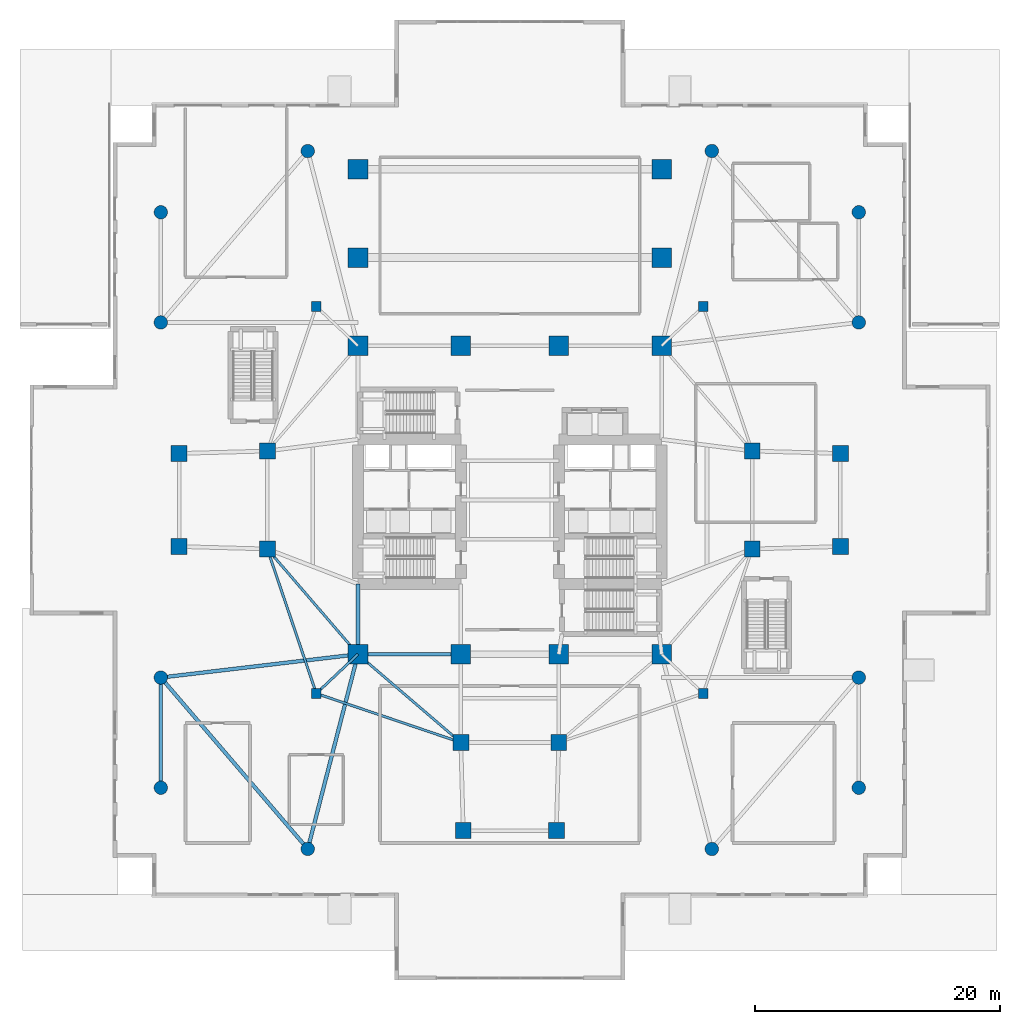
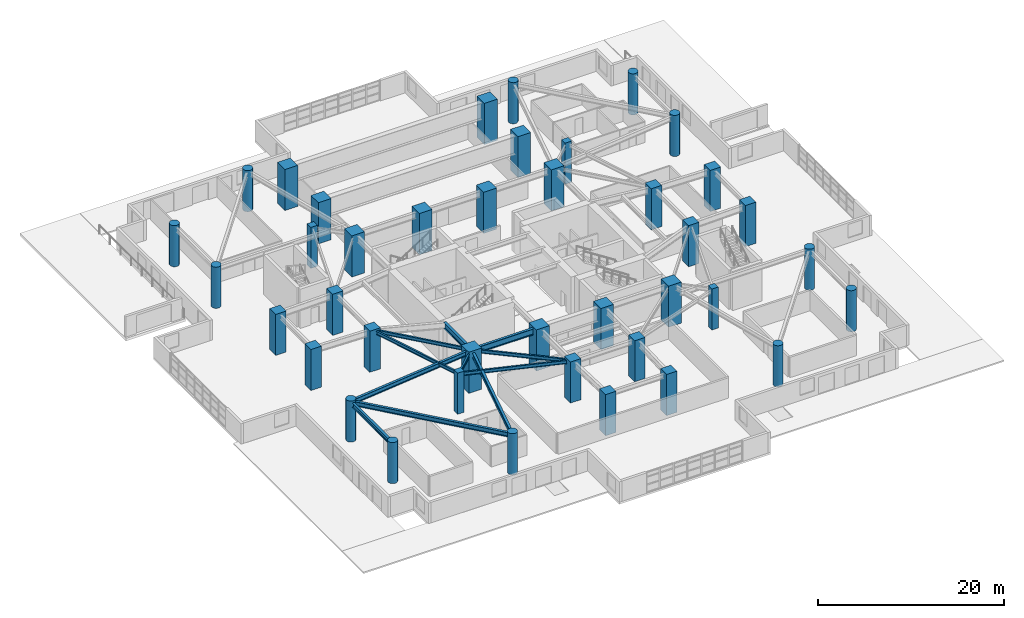
# One storey, part 1 of 24: 40 columns, 11 beams.
"""IFC4 building model written with IfcOpenShell, lengths in metres."""

import ifcopenshell
import ifcopenshell.guid

model = None  # the IFC model being written
_history = None  # IfcOwnerHistory: only IFC2X3 demands one
_inside = {}  # id of a spatial element -> (the spatial element, [elements in it])
_under = {}  # id of a project, library or spatial element -> (it, [spatial elements below it])
_declared = {}  # id of a project -> (the project, [libraries it declares])
_typed = {}  # id of a type object -> (the type object, [elements of that type])
_made_of = {}  # id of a material, layer set ... -> (it, [elements and type objects made of it])


def new_model(schema):
    """Start an empty IFC model of exactly this schema.

    Asked for "IFC4X3", IfcOpenShell would pick the latest addendum, in which some entities
    have other attributes; the version numbers below select the first issue.
    IFC2X3 requires an IfcOwnerHistory on every rooted entity: one is made here for all.
    """
    global model, _history
    if schema == "IFC4X3":
        model = ifcopenshell.file(schema_version=(4, 3, 0, 0))
    else:
        model = ifcopenshell.file(schema=schema)
    _inside.clear()
    _under.clear()
    _declared.clear()
    _typed.clear()
    _made_of.clear()
    _history = None
    if model.schema == "IFC2X3":
        org = make("IfcOrganization", Name="unknown")
        user = make(
            "IfcPersonAndOrganization",
            ThePerson=make("IfcPerson", FamilyName="unknown"),
            TheOrganization=org,
        )
        app = make(
            "IfcApplication",
            ApplicationDeveloper=org,
            Version="unknown",
            ApplicationFullName="unknown",
            ApplicationIdentifier="unknown",
        )
        _history = make(
            "IfcOwnerHistory",
            OwningUser=user,
            OwningApplication=app,
            ChangeAction="ADDED",
            CreationDate=0,
        )
    return model


def make(cls, **values):
    """One entity of the class cls with the attributes given. An attribute that is None is left unset."""
    return model.create_entity(
        cls, **{name: value for name, value in values.items() if value is not None}
    )


def rooted(cls, **values):
    """An entity with a GlobalId (a new one), such as an element, a storey or a relation."""
    return make(cls, GlobalId=ifcopenshell.guid.new(), OwnerHistory=_history, **values)


def si_unit(unit_type, name, prefix=None):
    """IfcSIUnit, for example si_unit("LENGTHUNIT", "METRE", prefix="MILLI")."""
    return make("IfcSIUnit", UnitType=unit_type, Prefix=prefix, Name=name)


def assignment(units):
    """IfcUnitAssignment: the units of a project."""
    return None if units is None else make("IfcUnitAssignment", Units=units)


def point(xyz):
    """IfcCartesianPoint."""
    return None if xyz is None else make("IfcCartesianPoint", Coordinates=xyz)


def direction(xyz):
    """IfcDirection."""
    return None if xyz is None else make("IfcDirection", DirectionRatios=xyz)


def frame(location, z_axis=None, x_axis=None):
    """IfcAxis2Placement3D, a coordinate frame: its origin and axes. An axis left out is left unset."""
    return make(
        "IfcAxis2Placement3D",
        Location=point(location),
        Axis=direction(z_axis),
        RefDirection=direction(x_axis),
    )


def frame_2d(location, x_axis=None):
    """IfcAxis2Placement2D, a coordinate frame in the plane: its origin and x axis."""
    return make(
        "IfcAxis2Placement2D", Location=point(location), RefDirection=direction(x_axis)
    )


def origin():
    """The frame at (0, 0, 0) with its axes left unset."""
    return frame((0.0, 0.0, 0.0))


def origin_2d():
    """The frame at (0, 0) in the plane with its x axis left unset."""
    return frame_2d((0.0, 0.0))


def place(relative_to, where):
    """IfcLocalPlacement: puts the frame where relative to a parent placement (None: the world)."""
    return make(
        "IfcLocalPlacement", PlacementRelTo=relative_to, RelativePlacement=where
    )


def context(
    kind, dimensions, precision=None, world=None, true_north=None, identifier=None
):
    """IfcGeometricRepresentationContext, for example the 3D "Model" context."""
    return make(
        "IfcGeometricRepresentationContext",
        ContextIdentifier=identifier,
        ContextType=kind,
        CoordinateSpaceDimension=dimensions,
        Precision=precision,
        WorldCoordinateSystem=world,
        TrueNorth=true_north,
    )


def subcontext(parent, identifier, kind, view, scale=None):
    """IfcGeometricRepresentationSubContext, for example "Body" below "Model"."""
    return make(
        "IfcGeometricRepresentationSubContext",
        ContextIdentifier=identifier,
        ContextType=kind,
        ParentContext=parent,
        TargetScale=scale,
        TargetView=view,
    )


def project(units=None, contexts=None):
    """IfcProject with its units and contexts."""
    return rooted(
        "IfcProject",
        Name="project",
        RepresentationContexts=contexts,
        UnitsInContext=assignment(units),
    )


def spatial(cls, under=None, at=None, **own):
    """A site, building, storey or space (cls), placed at a placement, below another one or the project."""
    s = rooted(cls, ObjectPlacement=at, **own)
    if under is not None:
        _under.setdefault(under.id(), (under, []))[1].append(s)
    return s


def profile(cls, at=None, kind="AREA", **sizes):
    """A parametric profile (cls). Its sizes go by their IFC names, for example OverallWidth=200.0."""
    return make(cls, ProfileType=kind, Position=at, **sizes)


def rectangle(**sizes):
    """IfcRectangleProfileDef."""
    return profile("IfcRectangleProfileDef", **sizes)


def circle(**sizes):
    """IfcCircleProfileDef."""
    return profile("IfcCircleProfileDef", **sizes)


def i_section(**sizes):
    """IfcIShapeProfileDef."""
    return profile("IfcIShapeProfileDef", **sizes)


def extrude(swept, where, along, depth):
    """IfcExtrudedAreaSolid: the profile swept, set in the frame where, extruded along a direction by depth."""
    return make(
        "IfcExtrudedAreaSolid",
        SweptArea=swept,
        Position=where,
        ExtrudedDirection=direction(along),
        Depth=depth,
    )


def shape(context_of_items, identifier, shape_type, items):
    """IfcShapeRepresentation: the items that make up one representation, for example the "Body"."""
    return make(
        "IfcShapeRepresentation",
        ContextOfItems=context_of_items,
        RepresentationIdentifier=identifier,
        RepresentationType=shape_type,
        Items=items,
    )


def material(Name=None, Category=None):
    """IfcMaterial."""
    return make("IfcMaterial", Name=Name, Category=Category)


def material_profile(
    of_material, cross_section, Name=None, Category=None, Priority=None
):
    """IfcMaterialProfile: a cross section and its material."""
    return make(
        "IfcMaterialProfile",
        Name=Name,
        Material=of_material,
        Profile=cross_section,
        Priority=Priority,
        Category=Category,
    )


def profile_set(profiles, Name=None, composite=None):
    """IfcMaterialProfileSet."""
    return make(
        "IfcMaterialProfileSet",
        Name=Name,
        MaterialProfiles=profiles,
        CompositeProfile=composite,
    )


def made_of(thing, what):
    """Note that an element or type object is made of a material, layer set ...; save() writes the relation."""
    if what is not None:
        _made_of.setdefault(what.id(), (what, []))[1].append(thing)
    return thing


def type_object(cls, material=None, **own):
    """A type object (cls), such as IfcWallType, which elements share."""
    return made_of(rooted(cls, **own), material)


def element(
    cls,
    number,
    at=None,
    inside=None,
    cuts=None,
    type_object=None,
    material=None,
    context=None,
    identifier="Body",
    shape_type=None,
    held_by="IfcProductDefinitionShape",
    body=None,
    shapes=None,
    **own,
):
    """One element of the class cls, such as IfcWall. Its Tag is "e" and its number.

    at: its placement. inside: the storey or other place that contains it. cuts: it is an
    opening in that element (IfcRelVoidsElement). A single representation is given by context,
    identifier, shape_type and body (its items); several are given by shapes. held_by: the class
    of the entity that holds the representations. save() writes the other relations.
    """
    e = rooted(cls, Tag="e%d" % number, ObjectPlacement=at, **own)
    if body is not None:
        shapes = [shape(context, identifier, shape_type, body)]
    if shapes is not None:
        e.Representation = make(held_by, Representations=shapes)
    if inside is not None:
        _inside.setdefault(inside.id(), (inside, []))[1].append(e)
    if cuts is not None:
        rooted(
            "IfcRelVoidsElement", RelatingBuildingElement=cuts, RelatedOpeningElement=e
        )
    if type_object is not None:
        _typed.setdefault(type_object.id(), (type_object, []))[1].append(e)
    return made_of(e, material)


def aggregate(whole, parts):
    """IfcRelAggregates: a whole, such as a stair, and the parts it consists of."""
    return rooted("IfcRelAggregates", RelatingObject=whole, RelatedObjects=parts)


def save(model, path):
    """Write the relations noted so far, then the file.

    IfcRelAggregates (storeys below a building ...), IfcRelContainedInSpatialStructure (elements
    in a storey), IfcRelDefinesByType, IfcRelAssociatesMaterial and IfcRelDeclares: one each for
    every whole, place, type object, material and project.
    """
    for whole, parts in _under.values():
        aggregate(whole, parts)
    for where, things in _inside.values():
        rooted(
            "IfcRelContainedInSpatialStructure",
            RelatedElements=things,
            RelatingStructure=where,
        )
    for kind, things in _typed.values():
        rooted("IfcRelDefinesByType", RelatedObjects=things, RelatingType=kind)
    for what, things in _made_of.values():
        rooted("IfcRelAssociatesMaterial", RelatedObjects=things, RelatingMaterial=what)
    for by, libraries in _declared.values():
        rooted("IfcRelDeclares", RelatingContext=by, RelatedDefinitions=libraries)
    model.write(path)


model = new_model("IFC4")

# Units and contexts
model_context = context("Model", 3, precision=1e-05, world=origin(), true_north=direction((0.0, 1.0)))
body_context = subcontext(model_context, "Body", "Model", "MODEL_VIEW")
ifc_project = project(units=[si_unit("LENGTHUNIT", "METRE"), si_unit("AREAUNIT", "SQUARE_METRE"), si_unit("VOLUMEUNIT", "CUBIC_METRE"), si_unit("PLANEANGLEUNIT", "RADIAN"), si_unit("MASSUNIT", "GRAM", prefix="KILO")], contexts=[model_context])

# Site, building, storey
site_placement = place(None, origin())
site = spatial("IfcSite", under=ifc_project, at=site_placement, CompositionType="ELEMENT")
building_placement = place(site_placement, origin())
building = spatial("IfcBuilding", under=site, at=building_placement, Name="Qingluan Cross Belvedere", CompositionType="ELEMENT")
storey_placement = place(building_placement, origin())
storey = spatial("IfcBuildingStorey", under=building, at=storey_placement, Name="L01", CompositionType="ELEMENT", Elevation=0.0)

# Columns
ifc_material_1 = material(Name="Concrete C60", Category="concrete")
ifc_material_profile_1 = material_profile(ifc_material_1, rectangle(XDim=1.300048828125, YDim=1.300048828125, at=origin_2d()), Name="RC1300x1300")
ifc_profile_set_1 = profile_set([ifc_material_profile_1], Name="Concrete C60")
column_type_1 = type_object("IfcColumnType", Name="Column_RC1300x1300", PredefinedType="COLUMN", material=ifc_profile_set_1)
for number, where, z_axis, x_axis, name in (
    (1, (19.800048828125, -4.0, 0.0), (0.0, 0.0, 1.0), (1.0, 0.0, 0.0), "Arm column L01-EIA"),
    (2, (19.800048828125, 4.0, 0.0), (0.0, 0.0, 1.0), (1.0, 0.0, 0.0), "Arm column L01-EIB"),
    (3, (-19.800048828125, -4.0, 0.0), (0.0, 0.0, 1.0), (1.0, 0.0, 0.0), "Arm column L01-WIA"),
    (4, (-19.800048828125, 4.0, 0.0), (0.0, 0.0, 1.0), (1.0, 0.0, 0.0), "Arm column L01-WIB"),
    (5, (-4.0, -19.800048828125, 0.0), (0.0, 0.0, 1.0), (1.0, 0.0, 0.0), "Arm column L01-SIA"),
    (6, (4.0, -19.800048828125, 0.0), (0.0, 0.0, 1.0), (1.0, 0.0, 0.0), "Arm column L01-SIB"),
    (7, (27.0, -3.800048828125, 0.0), (0.0, 0.0, 1.0), (1.0, 0.0, 0.0), "Arm column L01-EOA"),
    (8, (27.0, 3.800048828125, 0.0), (0.0, 0.0, 1.0), (1.0, 0.0, 0.0), "Arm column L01-EOB"),
    (9, (-27.0, -3.800048828125, 0.0), (0.0, 0.0, 1.0), (1.0, 0.0, 0.0), "Arm column L01-WOA"),
    (10, (-27.0, 3.800048828125, 0.0), (0.0, 0.0, 1.0), (1.0, 0.0, 0.0), "Arm column L01-WOB"),
    (11, (-3.800048828125, -27.0, 0.0), (0.0, 0.0, 1.0), (1.0, 0.0, 0.0), "Arm column L01-SOA"),
    (12, (3.800048828125, -27.0, 0.0), (0.0, 0.0, 1.0), (1.0, 0.0, 0.0), "Arm column L01-SOB"),
):
    element("IfcColumn", number, at=place(storey_placement, frame(where, z_axis=z_axis, x_axis=x_axis)), inside=storey, type_object=column_type_1, Name=name, PredefinedType="COLUMN", context=body_context, shape_type="SweptSolid", body=[
        extrude(rectangle(XDim=1.300048828125, YDim=1.300048828125, at=origin_2d()), origin(), (0.0, 0.0, 1.0), 5.39990234375),
    ])
ifc_material_2 = material(Name="Concrete C70", Category="concrete")
ifc_material_profile_2 = material_profile(ifc_material_2, rectangle(XDim=1.60009765625, YDim=1.60009765625, at=origin_2d()), Name="RC1600x1600")
ifc_profile_set_2 = profile_set([ifc_material_profile_2], Name="Concrete C70")
column_type_2 = type_object("IfcColumnType", Name="Column_RC1600x1600", PredefinedType="COLUMN", material=ifc_profile_set_2)
for number, where, z_axis, x_axis, name in (
    (13, (-12.39990234375, 19.800048828125, 0.0), (0.0, 0.0, 1.0), (1.0, 0.0, 0.0), "Ballroom transfer pier L01-BM1W"),
    (14, (-12.39990234375, 27.0, 0.0), (0.0, 0.0, 1.0), (1.0, 0.0, 0.0), "Ballroom transfer pier L01-BM2W"),
    (15, (12.39990234375, 19.800048828125, 0.0), (0.0, 0.0, 1.0), (1.0, 0.0, 0.0), "Ballroom transfer pier L01-BM1E"),
    (16, (12.39990234375, 27.0, 0.0), (0.0, 0.0, 1.0), (1.0, 0.0, 0.0), "Ballroom transfer pier L01-BM2E"),
    (17, (-12.39990234375, -12.60009765625, 0.0), (0.0, 0.0, 1.0), (1.0, 0.0, 0.0), "Hub column L01-HC1"),
    (18, (12.39990234375, -12.60009765625, 0.0), (0.0, 0.0, 1.0), (1.0, 0.0, 0.0), "Hub column L01-HC2"),
    (19, (12.39990234375, 12.60009765625, 0.0), (0.0, 0.0, 1.0), (1.0, 0.0, 0.0), "Hub column L01-HC3"),
    (20, (-12.39990234375, 12.60009765625, 0.0), (0.0, 0.0, 1.0), (1.0, 0.0, 0.0), "Hub column L01-HC4"),
    (21, (-4.0, -12.60009765625, 0.0), (0.0, 0.0, 1.0), (1.0, 0.0, 0.0), "Hub column L01-HC5"),
    (22, (4.0, -12.60009765625, 0.0), (0.0, 0.0, 1.0), (1.0, 0.0, 0.0), "Hub column L01-HC6"),
    (23, (4.0, 12.60009765625, 0.0), (0.0, 0.0, 1.0), (1.0, 0.0, 0.0), "Hub column L01-HC7"),
    (24, (-4.0, 12.60009765625, 0.0), (0.0, 0.0, 1.0), (1.0, 0.0, 0.0), "Hub column L01-HC8"),
):
    element("IfcColumn", number, at=place(storey_placement, frame(where, z_axis=z_axis, x_axis=x_axis)), inside=storey, type_object=column_type_2, Name=name, PredefinedType="COLUMN", context=body_context, shape_type="SweptSolid", body=[
        extrude(rectangle(XDim=1.60009765625, YDim=1.60009765625, at=origin_2d()), origin(), (0.0, 0.0, 1.0), 5.39990234375),
    ])
ifc_material_3 = material(Name="Concrete C50", Category="concrete")
ifc_material_profile_3 = material_profile(ifc_material_3, rectangle(XDim=0.800048828125, YDim=0.800048828125, at=origin_2d()), Name="RC800x800")
ifc_profile_set_3 = profile_set([ifc_material_profile_3], Name="Concrete C50")
column_type_3 = type_object("IfcColumnType", Name="Column_RC800x800", PredefinedType="COLUMN", material=ifc_profile_set_3)
for number, where, z_axis, x_axis, name in (
    (25, (15.800048828125, 15.800048828125, 0.0), (0.0, 0.0, 1.0), (1.0, 0.0, 0.0), "Corner column L01-RNE"),
    (26, (-15.800048828125, 15.800048828125, 0.0), (0.0, 0.0, 1.0), (1.0, 0.0, 0.0), "Corner column L01-RNW"),
    (27, (-15.800048828125, -15.800048828125, 0.0), (0.0, 0.0, 1.0), (1.0, 0.0, 0.0), "Corner column L01-RSW"),
    (28, (15.800048828125, -15.800048828125, 0.0), (0.0, 0.0, 1.0), (1.0, 0.0, 0.0), "Corner column L01-RSE"),
):
    element("IfcColumn", number, at=place(storey_placement, frame(where, z_axis=z_axis, x_axis=x_axis)), inside=storey, type_object=column_type_3, Name=name, PredefinedType="COLUMN", context=body_context, shape_type="SweptSolid", body=[
        extrude(rectangle(XDim=0.800048828125, YDim=0.800048828125, at=origin_2d()), origin(), (0.0, 0.0, 1.0), 5.39990234375),
    ])
ifc_material_4 = material(Name="Concrete C50", Category="concrete")
ifc_material_profile_4 = material_profile(ifc_material_4, circle(Radius=0.550048828125, at=origin_2d()), Name="RCC1100")
ifc_profile_set_4 = profile_set([ifc_material_profile_4], Name="Concrete C50")
column_type_4 = type_object("IfcColumnType", Name="Column_RCC1100", PredefinedType="COLUMN", material=ifc_profile_set_4)
for number, where, z_axis, x_axis, name in (
    (29, (-28.5, -14.5, 0.0), (0.0, 0.0, 1.0), (1.0, 0.0, 0.0), "Podium column L01-WS1"),
    (30, (-28.5, -23.5, 0.0), (0.0, 0.0, 1.0), (1.0, 0.0, 0.0), "Podium column L01-WS2"),
    (31, (-16.5, -28.5, 0.0), (0.0, 0.0, 1.0), (1.0, 0.0, 0.0), "Podium column L01-WS3"),
    (32, (-28.5, 14.5, 0.0), (0.0, 0.0, 1.0), (1.0, 0.0, 0.0), "Podium column L01-WN1"),
    (33, (-28.5, 23.5, 0.0), (0.0, 0.0, 1.0), (1.0, 0.0, 0.0), "Podium column L01-WN2"),
    (34, (-16.5, 28.5, 0.0), (0.0, 0.0, 1.0), (1.0, 0.0, 0.0), "Podium column L01-WN3"),
    (35, (28.5, -14.5, 0.0), (0.0, 0.0, 1.0), (1.0, 0.0, 0.0), "Podium column L01-ES1"),
    (36, (28.5, -23.5, 0.0), (0.0, 0.0, 1.0), (1.0, 0.0, 0.0), "Podium column L01-ES2"),
    (37, (16.5, -28.5, 0.0), (0.0, 0.0, 1.0), (1.0, 0.0, 0.0), "Podium column L01-ES3"),
    (38, (28.5, 14.5, 0.0), (0.0, 0.0, 1.0), (1.0, 0.0, 0.0), "Podium column L01-EN1"),
    (39, (28.5, 23.5, 0.0), (0.0, 0.0, 1.0), (1.0, 0.0, 0.0), "Podium column L01-EN2"),
    (40, (16.5, 28.5, 0.0), (0.0, 0.0, 1.0), (1.0, 0.0, 0.0), "Podium column L01-EN3"),
):
    element("IfcColumn", number, at=place(storey_placement, frame(where, z_axis=z_axis, x_axis=x_axis)), inside=storey, type_object=column_type_4, Name=name, PredefinedType="COLUMN", context=body_context, shape_type="SweptSolid", body=[
        extrude(circle(Radius=0.550048828125, at=origin_2d()), origin(), (0.0, 0.0, 1.0), 5.39990234375),
    ])

# Beams
ifc_material_5 = material(Name="Steel Q420GJB", Category="steel")
ifc_material_profile_5 = material_profile(ifc_material_5, i_section(OverallWidth=0.300048828125, OverallDepth=0.587890625, WebThickness=0.011962890625, FlangeThickness=0.02001953125, FilletRadius=0.02392578125, at=origin_2d()), Name="HM588x300x12x20")
ifc_profile_set_5 = profile_set([ifc_material_profile_5], Name="Steel Q420GJB")
beam_type_1 = type_object("IfcBeamType", Name="Steel_Beam_HM588x300x12x20", PredefinedType="BEAM", material=ifc_profile_set_5)
beam_1_placement = place(storey_placement, frame((-12.39990234375, -12.60009765625, 4.85595703125), z_axis=(-0.99310921872, -0.117192489917, 0.0), x_axis=(0.117192489917, -0.99310921872, 0.0)))
element("IfcBeam", 41, at=beam_1_placement, inside=storey, type_object=beam_type_1, Name="Podium quadrant tie beam L01-WSH1", PredefinedType="BEAM", context=body_context, shape_type="SweptSolid", body=[
    extrude(i_section(OverallWidth=0.300048828125, OverallDepth=0.587890625, WebThickness=0.011962890625, FlangeThickness=0.02001953125, FilletRadius=0.02392578125, at=origin_2d()), origin(), (0.0, 0.0, 1.0), 16.2119140625),
])
beam_2_placement = place(storey_placement, frame((-12.39990234375, -12.60009765625, 4.85595703125), z_axis=(-0.249700840873, -0.968323029814, 0.0), x_axis=(0.968323029814, -0.249700840873, 0.0)))
element("IfcBeam", 42, at=beam_2_placement, inside=storey, type_object=beam_type_1, Name="Podium quadrant tie beam L01-WSH3", PredefinedType="BEAM", context=body_context, shape_type="SweptSolid", body=[
    extrude(i_section(OverallWidth=0.300048828125, OverallDepth=0.587890625, WebThickness=0.011962890625, FlangeThickness=0.02001953125, FilletRadius=0.02392578125, at=origin_2d()), origin(), (0.0, 0.0, 1.0), 16.419921875),
])
beam_3_placement = place(storey_placement, frame((-28.5, -14.5, 4.85595703125), z_axis=(0.0, -1.0, 0.0), x_axis=(1.0, 0.0, 0.0)))
element("IfcBeam", 43, at=beam_3_placement, inside=storey, type_object=beam_type_1, Name="Podium quadrant tie beam L01-WS12", PredefinedType="BEAM", context=body_context, shape_type="SweptSolid", body=[
    extrude(i_section(OverallWidth=0.300048828125, OverallDepth=0.587890625, WebThickness=0.011962890625, FlangeThickness=0.02001953125, FilletRadius=0.02392578125, at=origin_2d()), origin(), (0.0, 0.0, 1.0), 9.0),
])
beam_4_placement = place(storey_placement, frame((-28.5, -14.5, 4.85595703125), z_axis=(0.650791373456, -0.759256602365, 0.0), x_axis=(0.759256602365, 0.650791373456, 0.0)))
element("IfcBeam", 44, at=beam_4_placement, inside=storey, type_object=beam_type_1, Name="Podium quadrant tie beam L01-WS13", PredefinedType="BEAM", context=body_context, shape_type="SweptSolid", body=[
    extrude(i_section(OverallWidth=0.300048828125, OverallDepth=0.587890625, WebThickness=0.011962890625, FlangeThickness=0.02001953125, FilletRadius=0.02392578125, at=origin_2d()), origin(), (0.0, 0.0, 1.0), 18.439208984375),
])
ifc_material_6 = material(Name="Steel Q420GJB", Category="steel")
ifc_material_profile_6 = material_profile(ifc_material_6, i_section(OverallWidth=0.199951171875, OverallDepth=0.449951171875, WebThickness=0.009033203125, FlangeThickness=0.013916015625, FilletRadius=0.01611328125, at=origin_2d()), Name="HN450x200x9x14")
ifc_profile_set_6 = profile_set([ifc_material_profile_6], Name="Steel Q420GJB")
beam_type_2 = type_object("IfcBeamType", Name="Steel_Beam_HN450x200x9x14", PredefinedType="JOIST", material=ifc_profile_set_6)
beam_5_placement = place(storey_placement, frame((-12.39990234375, -12.60009765625, 4.925048828125), z_axis=(-0.728219948308, -0.685343495546, 0.0), x_axis=(0.685343495546, -0.728219948308, 0.0)))
element("IfcBeam", 45, at=beam_5_placement, inside=storey, type_object=beam_type_2, Name="Corner beam 1 L01-RSW", PredefinedType="JOIST", context=body_context, shape_type="SweptSolid", body=[
    extrude(i_section(OverallWidth=0.199951171875, OverallDepth=0.449951171875, WebThickness=0.009033203125, FlangeThickness=0.013916015625, FilletRadius=0.01611328125, at=origin_2d()), origin(), (0.0, 0.0, 1.0), 4.669189453125),
])
for number, where, z_axis, x_axis, name in (
    (46, (-15.800048828125, -15.800048828125, 4.925048828125), (0.947066283324, -0.321038089628, 0.0), (0.321038089628, 0.947066283324, 0.0), "Corner beam 2 L01-RSW"),
    (47, (-15.800048828125, -15.800048828125, 4.925048828125), (-0.321038089628, 0.947066283324, 0.0), (-0.947066283324, -0.321038089628, 0.0), "Corner beam 3 L01-RSW"),
):
    element("IfcBeam", number, at=place(storey_placement, frame(where, z_axis=z_axis, x_axis=x_axis)), inside=storey, type_object=beam_type_2, Name=name, PredefinedType="JOIST", context=body_context, shape_type="SweptSolid", body=[
        extrude(i_section(OverallWidth=0.199951171875, OverallDepth=0.449951171875, WebThickness=0.009033203125, FlangeThickness=0.013916015625, FilletRadius=0.01611328125, at=origin_2d()), origin(), (0.0, 0.0, 1.0), 12.45947265625),
    ])
beam_6_placement = place(storey_placement, frame((-12.39990234375, -12.60009765625, 4.925048828125), z_axis=(-0.652245077546, 0.75800815221, 0.0), x_axis=(-0.75800815221, -0.652245077546, 0.0)))
element("IfcBeam", 48, at=beam_6_placement, inside=storey, type_object=beam_type_2, Name="Corner beam 4 L01-RSW", PredefinedType="JOIST", context=body_context, shape_type="SweptSolid", body=[
    extrude(i_section(OverallWidth=0.199951171875, OverallDepth=0.449951171875, WebThickness=0.009033203125, FlangeThickness=0.013916015625, FilletRadius=0.01611328125, at=origin_2d()), origin(), (0.0, 0.0, 1.0), 11.345703125),
])
beam_7_placement = place(storey_placement, frame((-12.39990234375, -12.60009765625, 4.925048828125), z_axis=(0.759255044656, -0.650793190779, 0.0), x_axis=(0.650793190779, 0.759255044656, 0.0)))
element("IfcBeam", 49, at=beam_7_placement, inside=storey, type_object=beam_type_2, Name="Corner beam 5 L01-RSW", PredefinedType="JOIST", context=body_context, shape_type="SweptSolid", body=[
    extrude(i_section(OverallWidth=0.199951171875, OverallDepth=0.449951171875, WebThickness=0.009033203125, FlangeThickness=0.013916015625, FilletRadius=0.01611328125, at=origin_2d()), origin(), (0.0, 0.0, 1.0), 11.063232421875),
])
ifc_material_7 = material(Name="Steel Q420GJB", Category="steel")
ifc_material_profile_7 = material_profile(ifc_material_7, i_section(OverallWidth=0.305908203125, OverallDepth=0.81396484375, WebThickness=0.02099609375, FlangeThickness=0.0400390625, FilletRadius=0.030029296875, at=origin_2d()), Name="HEM800")
ifc_profile_set_7 = profile_set([ifc_material_profile_7], Name="Steel Q420GJB")
beam_type_3 = type_object("IfcBeamType", Name="Steel_Girder_HEM800", PredefinedType="USERDEFINED", material=ifc_profile_set_7)
beam_8_placement = place(storey_placement, frame((-12.39990234375, -12.60009765625, 4.742919921875), z_axis=(1.0, 0.0, 0.0), x_axis=(0.0, 1.0, 0.0)))
element("IfcBeam", 50, at=beam_8_placement, inside=storey, type_object=beam_type_3, Name="Hub girder L01-HG-S1", ObjectType="GIRDER", PredefinedType="USERDEFINED", context=body_context, shape_type="SweptSolid", body=[
    extrude(i_section(OverallWidth=0.305908203125, OverallDepth=0.81396484375, WebThickness=0.02099609375, FlangeThickness=0.0400390625, FilletRadius=0.030029296875, at=origin_2d()), origin(), (0.0, 0.0, 1.0), 8.39990234375),
])
beam_9_placement = place(storey_placement, frame((-12.39990234375, -12.60009765625, 4.742919921875), z_axis=(0.0, 1.0, 0.0), x_axis=(-1.0, 0.0, 0.0)))
element("IfcBeam", 51, at=beam_9_placement, inside=storey, type_object=beam_type_3, Name="Hub girder L01-HG-W1", ObjectType="GIRDER", PredefinedType="USERDEFINED", context=body_context, shape_type="SweptSolid", body=[
    extrude(i_section(OverallWidth=0.305908203125, OverallDepth=0.81396484375, WebThickness=0.02099609375, FlangeThickness=0.0400390625, FilletRadius=0.030029296875, at=origin_2d()), origin(), (0.0, 0.0, 1.0), 5.75),
])

save(model, "model.ifc")
